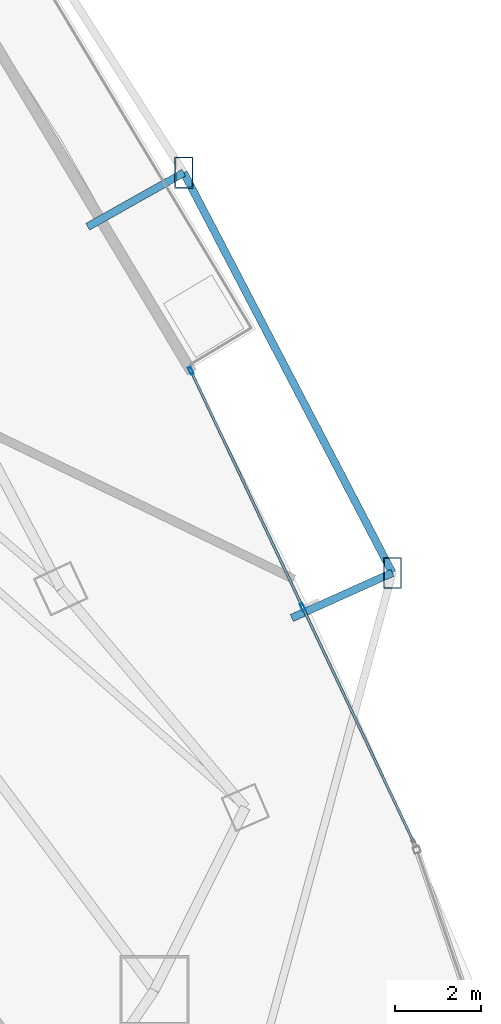
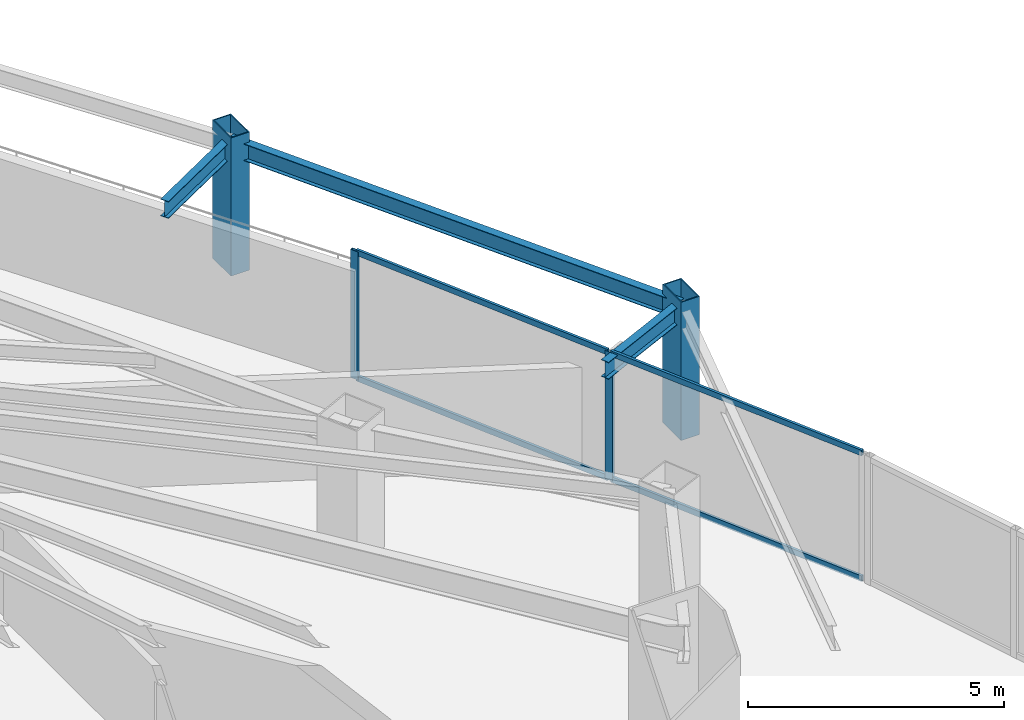
# One storey, part 19 of 33: 8 members, 3 beams, 1 element without a shape of its own.
"""IFC4 building model written with IfcOpenShell, lengths in metres."""

from ifc_helpers import new_model, si_unit, direction, frame, origin, origin_2d, place, context, subcontext, project, spatial, hollow_rectangle, i_section, extrude, material, layer, layer_set, material_profile, profile_set, type_object, element, aggregate, save


model = new_model("IFC4")

# Units and contexts
model_context = context("Model", 3, precision=1e-05, world=origin(), true_north=direction((0.0, 1.0)))
body_context = subcontext(model_context, "Body", "Model", "MODEL_VIEW")
ifc_project = project(units=[si_unit("LENGTHUNIT", "METRE"), si_unit("AREAUNIT", "SQUARE_METRE"), si_unit("VOLUMEUNIT", "CUBIC_METRE"), si_unit("PLANEANGLEUNIT", "RADIAN"), si_unit("MASSUNIT", "GRAM", prefix="KILO")], contexts=[model_context])

# Site, building, storey
site_placement = place(None, origin())
site = spatial("IfcSite", under=ifc_project, at=site_placement, CompositionType="ELEMENT")
building_placement = place(site_placement, origin())
building = spatial("IfcBuilding", under=site, at=building_placement, Name="Orvanel Arch Residences", CompositionType="ELEMENT")
storey_placement = place(building_placement, frame((0.0, 0.0, 84.050048828125)))
storey = spatial("IfcBuildingStorey", under=building, at=storey_placement, Name="L23", CompositionType="ELEMENT", Elevation=84.050048828125)

# Members
ifc_material_1 = material(Name="Structural steel AS/NZS 3678 Grade 350", Category="steel")
ifc_material_profile_1 = material_profile(ifc_material_1, hollow_rectangle(XDim=0.419921875, YDim=0.719970703125, WallThickness=0.02490234375, at=origin_2d()), Name="RHS720x420x25")
ifc_profile_set_1 = profile_set([ifc_material_profile_1], Name="Structural steel AS/NZS 3678 Grade 350")
member_type_1 = type_object("IfcMemberType", Name="CH-720RHS-EXT", PredefinedType="CHORD", material=ifc_profile_set_1)
for number, where, z_axis, x_axis, name in (
    (1, (57.305908203125, 20.010009765625, 0.0), (0.0, 0.0, 1.0), (1.0, 0.0, 0.0), "L23 Outer Perimeter Frame Post 09"),
    (2, (52.48095703125, 29.26708984375, 0.0), (0.0, 0.0, 1.0), (1.0, 0.0, 0.0), "L23 Outer Perimeter Frame Post 10"),
):
    element("IfcMember", number, at=place(storey_placement, frame(where, z_axis=z_axis, x_axis=x_axis)), inside=storey, type_object=member_type_1, Name=name, PredefinedType="CHORD", context=body_context, shape_type="SweptSolid", body=[
        extrude(hollow_rectangle(XDim=0.419921875, YDim=0.719970703125, WallThickness=0.02490234375, at=origin_2d()), origin(), (0.0, 0.0, 1.0), 3.300048828125),
    ])

# Curtain wall, members
ifc_material_2 = material(Name="Bronze-anodised aluminium AA6063-T6", Category="aluminium")
ifc_layer = layer(ifc_material_2, 0.179931640625)
ifc_layer_set = layer_set([ifc_layer], Name="Bronze-anodised aluminium AA6063-T6")
curtain_wall_type = type_object("IfcCurtainWallType", Name="CW2-LOW-SYS", PredefinedType="NOTDEFINED", material=ifc_layer_set)
curtain_wall_placement = place(storey_placement, origin())
curtain_wall = element("IfcCurtainWall", 3, at=curtain_wall_placement, inside=storey, type_object=curtain_wall_type, Name="L23 CW2-LOW-SYS Unitised Curtain Wall", PredefinedType="NOTDEFINED")
ifc_material_profile_2 = material_profile(ifc_material_2, hollow_rectangle(XDim=0.070068359375, YDim=0.179931640625, WallThickness=0.00439453125, at=origin_2d()), Name="ALU180x70x4.5")
ifc_profile_set_2 = profile_set([ifc_material_profile_2], Name="Bronze-anodised aluminium AA6063-T6")
member_type_2 = type_object("IfcMemberType", Name="MUL-180x70", PredefinedType="MULLION", material=ifc_profile_set_2)
member_1_placement = place(storey_placement, frame((55.23095703125, 19.214111328125, 0.0), z_axis=(0.0, 0.0, 1.0), x_axis=(-0.904068803442, -0.427386942528, 0.0)))
member_1 = element("IfcMember", 4, at=member_1_placement, type_object=member_type_2, Name="CW-S2 mullion 2", PredefinedType="MULLION", context=body_context, shape_type="SweptSolid", body=[
    extrude(hollow_rectangle(XDim=0.070068359375, YDim=0.179931640625, WallThickness=0.00439453125, at=origin_2d()), origin(), (0.0, 0.0, 1.0), 3.06005859375),
])
member_2_placement = place(storey_placement, frame((52.64501953125, 24.684326171875, 0.0), z_axis=(0.0, 0.0, 1.0), x_axis=(-0.904068803442, -0.427386942528, 0.0)))
member_2 = element("IfcMember", 5, at=member_2_placement, type_object=member_type_2, Name="CW-S2 mullion 3", PredefinedType="MULLION", context=body_context, shape_type="SweptSolid", body=[
    extrude(hollow_rectangle(XDim=0.070068359375, YDim=0.179931640625, WallThickness=0.00439453125, at=origin_2d()), origin(), (0.0, 0.0, 1.0), 3.06005859375),
])

# Beams
ifc_material_3 = material(Name="Structural steel AS/NZS 3679.1 Grade 300 (300 MPa)", Category="steel")
ifc_material_profile_3 = material_profile(ifc_material_3, i_section(OverallWidth=0.177978515625, OverallDepth=0.406005859375, WebThickness=0.0078125, FlangeThickness=0.0126953125, at=origin_2d()), Name="410UB59.7")
ifc_profile_set_3 = profile_set([ifc_material_profile_3], Name="Structural steel AS/NZS 3679.1 Grade 300 (300 MPa)")
beam_type = type_object("IfcBeamType", Name="OB-410UB-EXT", PredefinedType="SPANDREL", material=ifc_profile_set_3)
beam_1_placement = place(storey_placement, frame((54.97998046875, 18.965087890625, 2.85693359375), z_axis=(0.912177514222, 0.409795293468, 0.0), x_axis=(-0.409795293468, 0.912177514222, 0.0)))
element("IfcBeam", 6, at=beam_1_placement, inside=storey, type_object=beam_type, Name="L23 Outer Frame Radial Tie Beam 09", PredefinedType="SPANDREL", context=body_context, shape_type="SweptSolid", body=[
    extrude(i_section(OverallWidth=0.177978515625, OverallDepth=0.406005859375, WebThickness=0.0078125, FlangeThickness=0.0126953125, at=origin_2d()), origin(), (0.0, 0.0, 1.0), 2.5498046875),
])
beam_2_placement = place(storey_placement, frame((57.305908203125, 20.010009765625, 2.85693359375), z_axis=(-0.462202301193, 0.886774510669, 0.0), x_axis=(-0.886774510669, -0.462202301193, 0.0)))
element("IfcBeam", 7, at=beam_2_placement, inside=storey, type_object=beam_type, Name="L23 Outer Perimeter Floor Ring Beam 09", PredefinedType="SPANDREL", context=body_context, shape_type="SweptSolid", body=[
    extrude(i_section(OverallWidth=0.177978515625, OverallDepth=0.406005859375, WebThickness=0.0078125, FlangeThickness=0.0126953125, at=origin_2d()), origin(), (0.0, 0.0, 1.0), 10.43896484375),
])
beam_3_placement = place(storey_placement, frame((50.258056640625, 28.01611328125, 2.85693359375), z_axis=(0.871475828873, 0.490438456578, 0.0), x_axis=(-0.490438456578, 0.871475828873, 0.0)))
element("IfcBeam", 8, at=beam_3_placement, inside=storey, type_object=beam_type, Name="L23 Outer Frame Radial Tie Beam 10", PredefinedType="SPANDREL", context=body_context, shape_type="SweptSolid", body=[
    extrude(i_section(OverallWidth=0.177978515625, OverallDepth=0.406005859375, WebThickness=0.0078125, FlangeThickness=0.0126953125, at=origin_2d()), origin(), (0.0, 0.0, 1.0), 2.55078125),
])

# Member
ifc_material_profile_4 = material_profile(ifc_material_2, hollow_rectangle(XDim=0.06005859375, YDim=0.135009765625, WallThickness=0.00390625, at=origin_2d()), Name="ALU135x60x4")
ifc_profile_set_4 = profile_set([ifc_material_profile_4], Name="Bronze-anodised aluminium AA6063-T6")
member_type_3 = type_object("IfcMemberType", Name="TRN-135x60", PredefinedType="USERDEFINED", material=ifc_profile_set_4)
member_3_placement = place(storey_placement, frame((57.802001953125, 13.775390625, 0.030029296875), z_axis=(-0.427396602619, 0.904064236695, 0.0), x_axis=(-0.904064236695, -0.427396602619, 0.0)))
member_3 = element("IfcMember", 9, at=member_3_placement, type_object=member_type_3, Name="CW-S2 transom 1.1", ObjectType="TRANSOM", PredefinedType="USERDEFINED", context=body_context, shape_type="SweptSolid", body=[
    extrude(hollow_rectangle(XDim=0.06005859375, YDim=0.135009765625, WallThickness=0.00390625, at=origin_2d()), origin(), (0.0, 0.0, 1.0), 5.980712890625),
])

member_4_placement = place(storey_placement, frame((57.802001953125, 13.775390625, 3.030029296875), z_axis=(-0.427396602619, 0.904064236695, 0.0), x_axis=(-0.904064236695, -0.427396602619, 0.0)))
member_4 = element("IfcMember", 10, at=member_4_placement, type_object=member_type_3, Name="CW-S2 transom 1.2", ObjectType="TRANSOM", PredefinedType="USERDEFINED", context=body_context, shape_type="SweptSolid", body=[
    extrude(hollow_rectangle(XDim=0.06005859375, YDim=0.135009765625, WallThickness=0.00390625, at=origin_2d()), origin(), (0.0, 0.0, 1.0), 5.980712890625),
])

member_5_placement = place(storey_placement, frame((55.216064453125, 19.24560546875, 0.030029296875), z_axis=(-0.42738083012, 0.904071692979, 0.0), x_axis=(-0.904071692979, -0.42738083012, 0.0)))
member_5 = element("IfcMember", 11, at=member_5_placement, type_object=member_type_3, Name="CW-S2 transom 2.1", ObjectType="TRANSOM", PredefinedType="USERDEFINED", context=body_context, shape_type="SweptSolid", body=[
    extrude(hollow_rectangle(XDim=0.06005859375, YDim=0.135009765625, WallThickness=0.00390625, at=origin_2d()), origin(), (0.0, 0.0, 1.0), 5.98095703125),
])

member_6_placement = place(storey_placement, frame((55.216064453125, 19.24560546875, 3.030029296875), z_axis=(-0.42738083012, 0.904071692979, 0.0), x_axis=(-0.904071692979, -0.42738083012, 0.0)))
member_6 = element("IfcMember", 12, at=member_6_placement, type_object=member_type_3, Name="CW-S2 transom 2.2", ObjectType="TRANSOM", PredefinedType="USERDEFINED", context=body_context, shape_type="SweptSolid", body=[
    extrude(hollow_rectangle(XDim=0.06005859375, YDim=0.135009765625, WallThickness=0.00390625, at=origin_2d()), origin(), (0.0, 0.0, 1.0), 5.98095703125),
])

aggregate(curtain_wall, [member_1, member_2, member_3, member_4, member_5, member_6])

save(model, "model.ifc")
